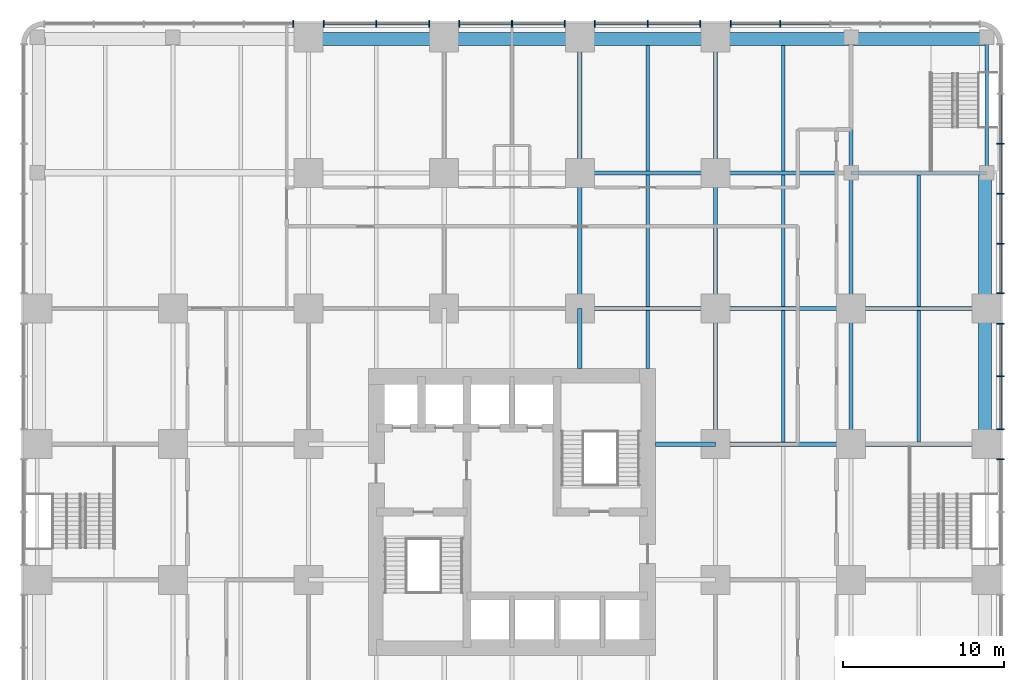
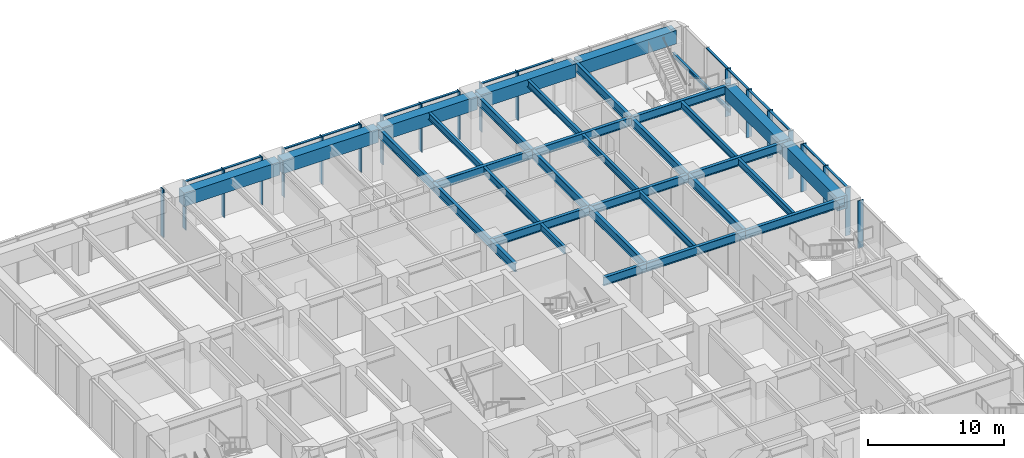
# One storey, part 6 of 17: 34 beams, 34 members, 2 elements without a shape of their own.
"""IFC4 building model written with IfcOpenShell, lengths in metres."""

from ifc_helpers import new_model, si_unit, direction, frame, origin, origin_2d, place, context, subcontext, project, spatial, rectangle, i_section, extrude, material, material_profile, profile_set, type_object, element, aggregate, save


model = new_model("IFC4")

# Units and contexts
model_context = context("Model", 3, precision=1e-05, world=origin(), true_north=direction((0.0, 1.0)))
body_context = subcontext(model_context, "Body", "Model", "MODEL_VIEW")
ifc_project = project(units=[si_unit("LENGTHUNIT", "METRE"), si_unit("AREAUNIT", "SQUARE_METRE"), si_unit("VOLUMEUNIT", "CUBIC_METRE"), si_unit("PLANEANGLEUNIT", "RADIAN"), si_unit("MASSUNIT", "GRAM", prefix="KILO")], contexts=[model_context])

# Site, building, storey
site_placement = place(None, origin())
site = spatial("IfcSite", under=ifc_project, at=site_placement, CompositionType="ELEMENT")
building_placement = place(site_placement, origin())
building = spatial("IfcBuilding", under=site, at=building_placement, Name="Torre Alcanfor", CompositionType="ELEMENT")
storey_placement = place(building_placement, frame((0.0, 0.0, 19.5)))
storey = spatial("IfcBuildingStorey", under=building, at=storey_placement, Name="L04", CompositionType="ELEMENT", Elevation=19.5)

# Curtain wall, members
ifc_material_1 = material(Name="Aluminium and glass", Category="aluminium")
curtain_wall_type = type_object("IfcCurtainWallType", Name="CW-B unitised classroom glazing with vertical FIN", PredefinedType="NOTDEFINED", material=ifc_material_1)
curtain_wall_1_placement = place(storey_placement, origin())
curtain_wall_1 = element("IfcCurtainWall", 1, at=curtain_wall_1_placement, inside=storey, type_object=curtain_wall_type, Name="Curtain wall CW-B L04 1", PredefinedType="NOTDEFINED")
ifc_material_2 = material(Name="Bronze anodised aluminium", Category="aluminium")
ifc_material_profile_1 = material_profile(ifc_material_2, rectangle(XDim=0.449951171875, YDim=0.06494140625, at=origin_2d()), Name="CW-B mullion 65x450")
ifc_profile_set_1 = profile_set([ifc_material_profile_1], Name="Bronze anodised aluminium")
member_type_1 = type_object("IfcMemberType", Name="CW-B mullion with vertical FIN 65x450", PredefinedType="MULLION", material=ifc_profile_set_1)
member_1_placement = place(storey_placement, frame((59.64990234375, 32.66259765625, 0.0), z_axis=(0.0, 0.0, 1.0), x_axis=(-1.0, 0.0, 0.0)))
member_1 = element("IfcMember", 2, at=member_1_placement, type_object=member_type_1, Name="CW-B mullion 3.3", PredefinedType="MULLION", context=body_context, shape_type="SweptSolid", body=[
    extrude(rectangle(XDim=0.449951171875, YDim=0.06494140625, at=origin_2d()), origin(), (0.0, 0.0, 1.0), 4.300048828125),
])
member_2_placement = place(storey_placement, frame((59.64990234375, 34.53759765625, 0.0), z_axis=(0.0, 0.0, 1.0), x_axis=(-1.0, 0.0, 0.0)))
member_2 = element("IfcMember", 3, at=member_2_placement, type_object=member_type_1, Name="CW-B mullion 4.1", PredefinedType="MULLION", context=body_context, shape_type="SweptSolid", body=[
    extrude(rectangle(XDim=0.449951171875, YDim=0.06494140625, at=origin_2d()), origin(), (0.0, 0.0, 1.0), 4.300048828125),
])
member_3_placement = place(storey_placement, frame((59.64990234375, 37.800048828125, 0.0), z_axis=(0.0, 0.0, 1.0), x_axis=(-1.0, 0.0, 0.0)))
member_3 = element("IfcMember", 4, at=member_3_placement, type_object=member_type_1, Name="CW-B mullion 4.2", PredefinedType="MULLION", context=body_context, shape_type="SweptSolid", body=[
    extrude(rectangle(XDim=0.449951171875, YDim=0.06494140625, at=origin_2d()), origin(), (0.0, 0.0, 1.0), 4.300048828125),
])
member_4_placement = place(storey_placement, frame((59.64990234375, 41.0625, 0.0), z_axis=(0.0, 0.0, 1.0), x_axis=(-1.0, 0.0, 0.0)))
member_4 = element("IfcMember", 5, at=member_4_placement, type_object=member_type_1, Name="CW-B mullion 4.3", PredefinedType="MULLION", context=body_context, shape_type="SweptSolid", body=[
    extrude(rectangle(XDim=0.449951171875, YDim=0.06494140625, at=origin_2d()), origin(), (0.0, 0.0, 1.0), 4.300048828125),
])
member_5_placement = place(storey_placement, frame((59.64990234375, 42.9375, 0.0), z_axis=(0.0, 0.0, 1.0), x_axis=(-1.0, 0.0, 0.0)))
member_5 = element("IfcMember", 6, at=member_5_placement, type_object=member_type_1, Name="CW-B mullion 5.1", PredefinedType="MULLION", context=body_context, shape_type="SweptSolid", body=[
    extrude(rectangle(XDim=0.449951171875, YDim=0.06494140625, at=origin_2d()), origin(), (0.0, 0.0, 1.0), 4.300048828125),
])
member_6_placement = place(storey_placement, frame((59.64990234375, 46.00390625, 0.0), z_axis=(0.0, 0.0, 1.0), x_axis=(-1.0, 0.0, 0.0)))
member_6 = element("IfcMember", 7, at=member_6_placement, type_object=member_type_1, Name="CW-B mullion 5.2", PredefinedType="MULLION", context=body_context, shape_type="SweptSolid", body=[
    extrude(rectangle(XDim=0.449951171875, YDim=0.06494140625, at=origin_2d()), origin(), (0.0, 0.0, 1.0), 4.300048828125),
])
member_7_placement = place(storey_placement, frame((59.64990234375, 49.10302734375, 0.0), z_axis=(0.0, 0.0, 1.0), x_axis=(-1.0, 0.0, 0.0)))
member_7 = element("IfcMember", 8, at=member_7_placement, type_object=member_type_1, Name="CW-B mullion 5.3", PredefinedType="MULLION", context=body_context, shape_type="SweptSolid", body=[
    extrude(rectangle(XDim=0.449951171875, YDim=0.06494140625, at=origin_2d()), origin(), (0.0, 0.0, 1.0), 4.300048828125),
])
member_8_placement = place(storey_placement, frame((59.64990234375, 52.201904296875, 0.0), z_axis=(0.0, 0.0, 1.0), x_axis=(-1.0, 0.0, 0.0)))
member_8 = element("IfcMember", 9, at=member_8_placement, type_object=member_type_1, Name="CW-B mullion 5.4", PredefinedType="MULLION", context=body_context, shape_type="SweptSolid", body=[
    extrude(rectangle(XDim=0.449951171875, YDim=0.06494140625, at=origin_2d()), origin(), (0.0, 0.0, 1.0), 4.300048828125),
])

curtain_wall_2_placement = place(storey_placement, origin())
curtain_wall_2 = element("IfcCurtainWall", 10, at=curtain_wall_2_placement, inside=storey, type_object=curtain_wall_type, Name="Curtain wall CW-B L04 2", PredefinedType="NOTDEFINED")
member_9_placement = place(storey_placement, frame((46.00390625, 59.64990234375, 0.0), z_axis=(0.0, 0.0, 1.0), x_axis=(0.0, -1.0, 0.0)))
member_9 = element("IfcMember", 11, at=member_9_placement, type_object=member_type_1, Name="CW-B mullion 1.5", PredefinedType="MULLION", context=body_context, shape_type="SweptSolid", body=[
    extrude(rectangle(XDim=0.449951171875, YDim=0.06494140625, at=origin_2d()), origin(), (0.0, 0.0, 1.0), 4.300048828125),
])
member_10_placement = place(storey_placement, frame((42.9375, 59.64990234375, 0.0), z_axis=(0.0, 0.0, 1.0), x_axis=(0.0, -1.0, 0.0)))
member_10 = element("IfcMember", 12, at=member_10_placement, type_object=member_type_1, Name="CW-B mullion 1.6", PredefinedType="MULLION", context=body_context, shape_type="SweptSolid", body=[
    extrude(rectangle(XDim=0.449951171875, YDim=0.06494140625, at=origin_2d()), origin(), (0.0, 0.0, 1.0), 4.300048828125),
])
member_11_placement = place(storey_placement, frame((41.0625, 59.64990234375, 0.0), z_axis=(0.0, 0.0, 1.0), x_axis=(0.0, -1.0, 0.0)))
member_11 = element("IfcMember", 13, at=member_11_placement, type_object=member_type_1, Name="CW-B mullion 2.1", PredefinedType="MULLION", context=body_context, shape_type="SweptSolid", body=[
    extrude(rectangle(XDim=0.449951171875, YDim=0.06494140625, at=origin_2d()), origin(), (0.0, 0.0, 1.0), 4.300048828125),
])
member_12_placement = place(storey_placement, frame((37.800048828125, 59.64990234375, 0.0), z_axis=(0.0, 0.0, 1.0), x_axis=(0.0, -1.0, 0.0)))
member_12 = element("IfcMember", 14, at=member_12_placement, type_object=member_type_1, Name="CW-B mullion 2.2", PredefinedType="MULLION", context=body_context, shape_type="SweptSolid", body=[
    extrude(rectangle(XDim=0.449951171875, YDim=0.06494140625, at=origin_2d()), origin(), (0.0, 0.0, 1.0), 4.300048828125),
])
member_13_placement = place(storey_placement, frame((34.53759765625, 59.64990234375, 0.0), z_axis=(0.0, 0.0, 1.0), x_axis=(0.0, -1.0, 0.0)))
member_13 = element("IfcMember", 15, at=member_13_placement, type_object=member_type_1, Name="CW-B mullion 2.3", PredefinedType="MULLION", context=body_context, shape_type="SweptSolid", body=[
    extrude(rectangle(XDim=0.449951171875, YDim=0.06494140625, at=origin_2d()), origin(), (0.0, 0.0, 1.0), 4.300048828125),
])
member_14_placement = place(storey_placement, frame((32.66259765625, 59.64990234375, 0.0), z_axis=(0.0, 0.0, 1.0), x_axis=(0.0, -1.0, 0.0)))
member_14 = element("IfcMember", 16, at=member_14_placement, type_object=member_type_1, Name="CW-B mullion 3.1", PredefinedType="MULLION", context=body_context, shape_type="SweptSolid", body=[
    extrude(rectangle(XDim=0.449951171875, YDim=0.06494140625, at=origin_2d()), origin(), (0.0, 0.0, 1.0), 4.300048828125),
])
member_15_placement = place(storey_placement, frame((29.39990234375, 59.64990234375, 0.0), z_axis=(0.0, 0.0, 1.0), x_axis=(0.0, -1.0, 0.0)))
member_15 = element("IfcMember", 17, at=member_15_placement, type_object=member_type_1, Name="CW-B mullion 3.2", PredefinedType="MULLION", context=body_context, shape_type="SweptSolid", body=[
    extrude(rectangle(XDim=0.449951171875, YDim=0.06494140625, at=origin_2d()), origin(), (0.0, 0.0, 1.0), 4.300048828125),
])
member_16_placement = place(storey_placement, frame((26.137451171875, 59.64990234375, 0.0), z_axis=(0.0, 0.0, 1.0), x_axis=(0.0, -1.0, 0.0)))
member_16 = element("IfcMember", 18, at=member_16_placement, type_object=member_type_1, Name="CW-B mullion 3.3", PredefinedType="MULLION", context=body_context, shape_type="SweptSolid", body=[
    extrude(rectangle(XDim=0.449951171875, YDim=0.06494140625, at=origin_2d()), origin(), (0.0, 0.0, 1.0), 4.300048828125),
])
member_17_placement = place(storey_placement, frame((24.262451171875, 59.64990234375, 0.0), z_axis=(0.0, 0.0, 1.0), x_axis=(0.0, -1.0, 0.0)))
member_17 = element("IfcMember", 19, at=member_17_placement, type_object=member_type_1, Name="CW-B mullion 4.1", PredefinedType="MULLION", context=body_context, shape_type="SweptSolid", body=[
    extrude(rectangle(XDim=0.449951171875, YDim=0.06494140625, at=origin_2d()), origin(), (0.0, 0.0, 1.0), 4.300048828125),
])
member_18_placement = place(storey_placement, frame((21.0, 59.64990234375, 0.0), z_axis=(0.0, 0.0, 1.0), x_axis=(0.0, -1.0, 0.0)))
member_18 = element("IfcMember", 20, at=member_18_placement, type_object=member_type_1, Name="CW-B mullion 4.2", PredefinedType="MULLION", context=body_context, shape_type="SweptSolid", body=[
    extrude(rectangle(XDim=0.449951171875, YDim=0.06494140625, at=origin_2d()), origin(), (0.0, 0.0, 1.0), 4.300048828125),
])
member_19_placement = place(storey_placement, frame((17.737548828125, 59.64990234375, 0.0), z_axis=(0.0, 0.0, 1.0), x_axis=(0.0, -1.0, 0.0)))
member_19 = element("IfcMember", 21, at=member_19_placement, type_object=member_type_1, Name="CW-B mullion 4.3", PredefinedType="MULLION", context=body_context, shape_type="SweptSolid", body=[
    extrude(rectangle(XDim=0.449951171875, YDim=0.06494140625, at=origin_2d()), origin(), (0.0, 0.0, 1.0), 4.300048828125),
])
member_20_placement = place(storey_placement, frame((15.862548828125, 59.64990234375, 0.0), z_axis=(0.0, 0.0, 1.0), x_axis=(0.0, -1.0, 0.0)))
member_20 = element("IfcMember", 22, at=member_20_placement, type_object=member_type_1, Name="CW-B mullion 5.1", PredefinedType="MULLION", context=body_context, shape_type="SweptSolid", body=[
    extrude(rectangle(XDim=0.449951171875, YDim=0.06494140625, at=origin_2d()), origin(), (0.0, 0.0, 1.0), 4.300048828125),
])

# Member
ifc_material_3 = material(Name="Extruded aluminium", Category="aluminium")
ifc_material_profile_2 = material_profile(ifc_material_3, rectangle(XDim=0.199951171875, YDim=0.06494140625, at=origin_2d()), Name="CW-B transom 200x65")
ifc_profile_set_2 = profile_set([ifc_material_profile_2], Name="Extruded aluminium")
member_type_2 = type_object("IfcMemberType", Name="CW-B transom 65x200", PredefinedType="USERDEFINED", material=ifc_profile_set_2)
member_21_placement = place(storey_placement, frame((59.64990234375, 34.570068359375, 4.267578125), z_axis=(0.0, 1.0, 0.0), x_axis=(-1.0, 0.0, 0.0)))
member_21 = element("IfcMember", 23, at=member_21_placement, type_object=member_type_2, Name="CW-B transom 4.1.2", ObjectType="TRANSOM", PredefinedType="USERDEFINED", context=body_context, shape_type="SweptSolid", body=[
    extrude(rectangle(XDim=0.199951171875, YDim=0.06494140625, at=origin_2d()), origin(), (0.0, 0.0, 1.0), 3.197509765625),
])

member_22_placement = place(storey_placement, frame((59.64990234375, 37.83251953125, 4.267578125), z_axis=(0.0, 1.0, 0.0), x_axis=(-1.0, 0.0, 0.0)))
member_22 = element("IfcMember", 24, at=member_22_placement, type_object=member_type_2, Name="CW-B transom 4.2.2", ObjectType="TRANSOM", PredefinedType="USERDEFINED", context=body_context, shape_type="SweptSolid", body=[
    extrude(rectangle(XDim=0.199951171875, YDim=0.06494140625, at=origin_2d()), origin(), (0.0, 0.0, 1.0), 3.197509765625),
])

member_23_placement = place(storey_placement, frame((59.64990234375, 42.969970703125, 4.267578125), z_axis=(0.0, 1.0, 0.0), x_axis=(-1.0, 0.0, 0.0)))
member_23 = element("IfcMember", 25, at=member_23_placement, type_object=member_type_2, Name="CW-B transom 5.1.2", ObjectType="TRANSOM", PredefinedType="USERDEFINED", context=body_context, shape_type="SweptSolid", body=[
    extrude(rectangle(XDim=0.199951171875, YDim=0.06494140625, at=origin_2d()), origin(), (0.0, 0.0, 1.0), 3.00146484375),
])

member_24_placement = place(storey_placement, frame((59.64990234375, 46.03662109375, 4.267578125), z_axis=(0.0, 1.0, 0.0), x_axis=(-1.0, 0.0, 0.0)))
member_24 = element("IfcMember", 26, at=member_24_placement, type_object=member_type_2, Name="CW-B transom 5.2.2", ObjectType="TRANSOM", PredefinedType="USERDEFINED", context=body_context, shape_type="SweptSolid", body=[
    extrude(rectangle(XDim=0.199951171875, YDim=0.06494140625, at=origin_2d()), origin(), (0.0, 0.0, 1.0), 3.033935546875),
])

member_25_placement = place(storey_placement, frame((59.64990234375, 49.135498046875, 4.267578125), z_axis=(0.0, 1.0, 0.0), x_axis=(-1.0, 0.0, 0.0)))
member_25 = element("IfcMember", 27, at=member_25_placement, type_object=member_type_2, Name="CW-B transom 5.3.2", ObjectType="TRANSOM", PredefinedType="USERDEFINED", context=body_context, shape_type="SweptSolid", body=[
    extrude(rectangle(XDim=0.199951171875, YDim=0.06494140625, at=origin_2d()), origin(), (0.0, 0.0, 1.0), 3.033935546875),
])

member_26_placement = place(storey_placement, frame((59.64990234375, 52.234619140625, 4.267578125), z_axis=(0.0, 1.0, 0.0), x_axis=(-1.0, 0.0, 0.0)))
member_26 = element("IfcMember", 28, at=member_26_placement, type_object=member_type_2, Name="CW-B transom 5.4.2", ObjectType="TRANSOM", PredefinedType="USERDEFINED", context=body_context, shape_type="SweptSolid", body=[
    extrude(rectangle(XDim=0.199951171875, YDim=0.06494140625, at=origin_2d()), origin(), (0.0, 0.0, 1.0), 3.033935546875),
])

aggregate(curtain_wall_1, [member_1, member_2, member_3, member_4, member_21, member_22, member_5, member_6, member_7, member_8, member_23, member_24, member_25, member_26])

member_27_placement = place(storey_placement, frame((49.070556640625, 59.64990234375, 4.267578125), z_axis=(-1.0, 0.0, 0.0), x_axis=(0.0, -1.0, 0.0)))
member_27 = element("IfcMember", 29, at=member_27_placement, type_object=member_type_2, Name="CW-B transom 1.4.2", ObjectType="TRANSOM", PredefinedType="USERDEFINED", context=body_context, shape_type="SweptSolid", body=[
    extrude(rectangle(XDim=0.199951171875, YDim=0.06494140625, at=origin_2d()), origin(), (0.0, 0.0, 1.0), 3.033935546875),
])

member_28_placement = place(storey_placement, frame((45.971435546875, 59.64990234375, 4.267578125), z_axis=(-1.0, 0.0, 0.0), x_axis=(0.0, -1.0, 0.0)))
member_28 = element("IfcMember", 30, at=member_28_placement, type_object=member_type_2, Name="CW-B transom 1.5.2", ObjectType="TRANSOM", PredefinedType="USERDEFINED", context=body_context, shape_type="SweptSolid", body=[
    extrude(rectangle(XDim=0.199951171875, YDim=0.06494140625, at=origin_2d()), origin(), (0.0, 0.0, 1.0), 3.00146484375),
])

member_29_placement = place(storey_placement, frame((41.030029296875, 59.64990234375, 4.267578125), z_axis=(-1.0, 0.0, 0.0), x_axis=(0.0, -1.0, 0.0)))
member_29 = element("IfcMember", 31, at=member_29_placement, type_object=member_type_2, Name="CW-B transom 2.1.2", ObjectType="TRANSOM", PredefinedType="USERDEFINED", context=body_context, shape_type="SweptSolid", body=[
    extrude(rectangle(XDim=0.199951171875, YDim=0.06494140625, at=origin_2d()), origin(), (0.0, 0.0, 1.0), 3.197509765625),
])

member_30_placement = place(storey_placement, frame((37.767578125, 59.64990234375, 4.267578125), z_axis=(-1.0, 0.0, 0.0), x_axis=(0.0, -1.0, 0.0)))
member_30 = element("IfcMember", 32, at=member_30_placement, type_object=member_type_2, Name="CW-B transom 2.2.2", ObjectType="TRANSOM", PredefinedType="USERDEFINED", context=body_context, shape_type="SweptSolid", body=[
    extrude(rectangle(XDim=0.199951171875, YDim=0.06494140625, at=origin_2d()), origin(), (0.0, 0.0, 1.0), 3.197509765625),
])

member_31_placement = place(storey_placement, frame((32.6298828125, 59.64990234375, 4.267578125), z_axis=(-1.0, 0.0, 0.0), x_axis=(0.0, -1.0, 0.0)))
member_31 = element("IfcMember", 33, at=member_31_placement, type_object=member_type_2, Name="CW-B transom 3.1.2", ObjectType="TRANSOM", PredefinedType="USERDEFINED", context=body_context, shape_type="SweptSolid", body=[
    extrude(rectangle(XDim=0.199951171875, YDim=0.06494140625, at=origin_2d()), origin(), (0.0, 0.0, 1.0), 3.197265625),
])

member_32_placement = place(storey_placement, frame((29.367431640625, 59.64990234375, 4.267578125), z_axis=(-1.0, 0.0, 0.0), x_axis=(0.0, -1.0, 0.0)))
member_32 = element("IfcMember", 34, at=member_32_placement, type_object=member_type_2, Name="CW-B transom 3.2.2", ObjectType="TRANSOM", PredefinedType="USERDEFINED", context=body_context, shape_type="SweptSolid", body=[
    extrude(rectangle(XDim=0.199951171875, YDim=0.06494140625, at=origin_2d()), origin(), (0.0, 0.0, 1.0), 3.197509765625),
])

member_33_placement = place(storey_placement, frame((24.22998046875, 59.64990234375, 4.267578125), z_axis=(-1.0, 0.0, 0.0), x_axis=(0.0, -1.0, 0.0)))
member_33 = element("IfcMember", 35, at=member_33_placement, type_object=member_type_2, Name="CW-B transom 4.1.2", ObjectType="TRANSOM", PredefinedType="USERDEFINED", context=body_context, shape_type="SweptSolid", body=[
    extrude(rectangle(XDim=0.199951171875, YDim=0.06494140625, at=origin_2d()), origin(), (0.0, 0.0, 1.0), 3.197509765625),
])

member_34_placement = place(storey_placement, frame((20.967529296875, 59.64990234375, 4.267578125), z_axis=(-1.0, 0.0, 0.0), x_axis=(0.0, -1.0, 0.0)))
member_34 = element("IfcMember", 36, at=member_34_placement, type_object=member_type_2, Name="CW-B transom 4.2.2", ObjectType="TRANSOM", PredefinedType="USERDEFINED", context=body_context, shape_type="SweptSolid", body=[
    extrude(rectangle(XDim=0.199951171875, YDim=0.06494140625, at=origin_2d()), origin(), (0.0, 0.0, 1.0), 3.197509765625),
])

aggregate(curtain_wall_2, [member_9, member_10, member_27, member_28, member_11, member_12, member_13, member_29, member_30, member_14, member_15, member_16, member_31, member_32, member_17, member_18, member_19, member_33, member_34, member_20])

# Beams
ifc_material_4 = material(Name="Steel ASTM A992 Grade 50", Category="steel")
ifc_material_profile_3 = material_profile(ifc_material_4, i_section(OverallWidth=0.2666015625, OverallDepth=0.7568359375, WebThickness=0.013916015625, FlangeThickness=0.019287109375, at=origin_2d()), Name="W30x108")
ifc_profile_set_3 = profile_set([ifc_material_profile_3], Name="Steel ASTM A992 Grade 50")
beam_type_1 = type_object("IfcBeamType", Name="Girder W30x108", PredefinedType="BEAM", material=ifc_profile_set_3)
beam_1_placement = place(storey_placement, frame((42.0, 33.60009765625, 3.921630859375), z_axis=(1.0, 0.0, 0.0), x_axis=(0.0, 1.0, 0.0)))
element("IfcBeam", 37, at=beam_1_placement, inside=storey, type_object=beam_type_1, Name="Beam 6G-7G under L05", PredefinedType="BEAM", context=body_context, shape_type="SweptSolid", body=[
    extrude(i_section(OverallWidth=0.2666015625, OverallDepth=0.7568359375, WebThickness=0.013916015625, FlangeThickness=0.019287109375, at=origin_2d()), origin(), (0.0, 0.0, 1.0), 8.39990234375),
])
beam_2_placement = place(storey_placement, frame((50.39990234375, 33.60009765625, 3.921630859375), z_axis=(1.0, 0.0, 0.0), x_axis=(0.0, 1.0, 0.0)))
element("IfcBeam", 38, at=beam_2_placement, inside=storey, type_object=beam_type_1, Name="Beam 7G-8G under L05", PredefinedType="BEAM", context=body_context, shape_type="SweptSolid", body=[
    extrude(i_section(OverallWidth=0.2666015625, OverallDepth=0.7568359375, WebThickness=0.013916015625, FlangeThickness=0.019287109375, at=origin_2d()), origin(), (0.0, 0.0, 1.0), 8.400146484375),
])
for number, where, z_axis, x_axis, name in (
    (39, (33.60009765625, 42.0, 3.921630859375), (1.0, 0.0, 0.0), (0.0, 1.0, 0.0), "Beam 5H-6H under L05"),
    (40, (42.0, 42.0, 3.921630859375), (1.0, 0.0, 0.0), (0.0, 1.0, 0.0), "Beam 6H-7H under L05"),
):
    element("IfcBeam", number, at=place(storey_placement, frame(where, z_axis=z_axis, x_axis=x_axis)), inside=storey, type_object=beam_type_1, Name=name, PredefinedType="BEAM", context=body_context, shape_type="SweptSolid", body=[
        extrude(i_section(OverallWidth=0.2666015625, OverallDepth=0.7568359375, WebThickness=0.013916015625, FlangeThickness=0.019287109375, at=origin_2d()), origin(), (0.0, 0.0, 1.0), 8.39990234375),
    ])
beam_3_placement = place(storey_placement, frame((50.39990234375, 42.0, 3.921630859375), z_axis=(1.0, 0.0, 0.0), x_axis=(0.0, 1.0, 0.0)))
element("IfcBeam", 41, at=beam_3_placement, inside=storey, type_object=beam_type_1, Name="Beam 7H-8H under L05", PredefinedType="BEAM", context=body_context, shape_type="SweptSolid", body=[
    extrude(i_section(OverallWidth=0.2666015625, OverallDepth=0.7568359375, WebThickness=0.013916015625, FlangeThickness=0.019287109375, at=origin_2d()), origin(), (0.0, 0.0, 1.0), 8.400146484375),
])
for number, where, z_axis, x_axis, name in (
    (42, (33.60009765625, 50.39990234375, 3.921630859375), (1.0, 0.0, 0.0), (0.0, 1.0, 0.0), "Beam 5J-6J under L05"),
    (43, (42.0, 50.39990234375, 3.921630859375), (1.0, 0.0, 0.0), (0.0, 1.0, 0.0), "Beam 6J-7J under L05"),
):
    element("IfcBeam", number, at=place(storey_placement, frame(where, z_axis=z_axis, x_axis=x_axis)), inside=storey, type_object=beam_type_1, Name=name, PredefinedType="BEAM", context=body_context, shape_type="SweptSolid", body=[
        extrude(i_section(OverallWidth=0.2666015625, OverallDepth=0.7568359375, WebThickness=0.013916015625, FlangeThickness=0.019287109375, at=origin_2d()), origin(), (0.0, 0.0, 1.0), 8.39990234375),
    ])
beam_4_placement = place(storey_placement, frame((50.39990234375, 50.39990234375, 3.921630859375), z_axis=(1.0, 0.0, 0.0), x_axis=(0.0, 1.0, 0.0)))
element("IfcBeam", 44, at=beam_4_placement, inside=storey, type_object=beam_type_1, Name="Beam 7J-8J under L05", PredefinedType="BEAM", context=body_context, shape_type="SweptSolid", body=[
    extrude(i_section(OverallWidth=0.2666015625, OverallDepth=0.7568359375, WebThickness=0.013916015625, FlangeThickness=0.019287109375, at=origin_2d()), origin(), (0.0, 0.0, 1.0), 8.400146484375),
])
beam_5_placement = place(storey_placement, frame((33.60009765625, 42.0, 3.921630859375), z_axis=(0.0, 1.0, 0.0), x_axis=(-1.0, 0.0, 0.0)))
element("IfcBeam", 45, at=beam_5_placement, inside=storey, type_object=beam_type_1, Name="Beam 5H-5J under L05", PredefinedType="BEAM", context=body_context, shape_type="SweptSolid", body=[
    extrude(i_section(OverallWidth=0.2666015625, OverallDepth=0.7568359375, WebThickness=0.013916015625, FlangeThickness=0.019287109375, at=origin_2d()), origin(), (0.0, 0.0, 1.0), 8.39990234375),
])
beam_6_placement = place(storey_placement, frame((33.60009765625, 50.39990234375, 3.921630859375), z_axis=(0.0, 1.0, 0.0), x_axis=(-1.0, 0.0, 0.0)))
element("IfcBeam", 46, at=beam_6_placement, inside=storey, type_object=beam_type_1, Name="Beam 5J-5K under L05", PredefinedType="BEAM", context=body_context, shape_type="SweptSolid", body=[
    extrude(i_section(OverallWidth=0.2666015625, OverallDepth=0.7568359375, WebThickness=0.013916015625, FlangeThickness=0.019287109375, at=origin_2d()), origin(), (0.0, 0.0, 1.0), 8.400146484375),
])
for number, where, z_axis, x_axis, name in (
    (47, (42.0, 33.60009765625, 3.921630859375), (0.0, 1.0, 0.0), (-1.0, 0.0, 0.0), "Beam 6G-6H under L05"),
    (48, (42.0, 42.0, 3.921630859375), (0.0, 1.0, 0.0), (-1.0, 0.0, 0.0), "Beam 6H-6J under L05"),
):
    element("IfcBeam", number, at=place(storey_placement, frame(where, z_axis=z_axis, x_axis=x_axis)), inside=storey, type_object=beam_type_1, Name=name, PredefinedType="BEAM", context=body_context, shape_type="SweptSolid", body=[
        extrude(i_section(OverallWidth=0.2666015625, OverallDepth=0.7568359375, WebThickness=0.013916015625, FlangeThickness=0.019287109375, at=origin_2d()), origin(), (0.0, 0.0, 1.0), 8.39990234375),
    ])
beam_7_placement = place(storey_placement, frame((42.0, 50.39990234375, 3.921630859375), z_axis=(0.0, 1.0, 0.0), x_axis=(-1.0, 0.0, 0.0)))
element("IfcBeam", 49, at=beam_7_placement, inside=storey, type_object=beam_type_1, Name="Beam 6J-6K under L05", PredefinedType="BEAM", context=body_context, shape_type="SweptSolid", body=[
    extrude(i_section(OverallWidth=0.2666015625, OverallDepth=0.7568359375, WebThickness=0.013916015625, FlangeThickness=0.019287109375, at=origin_2d()), origin(), (0.0, 0.0, 1.0), 8.400146484375),
])
for number, where, z_axis, x_axis, name in (
    (50, (50.39990234375, 33.60009765625, 3.921630859375), (0.0, 1.0, 0.0), (-1.0, 0.0, 0.0), "Beam 7G-7H under L05"),
    (51, (50.39990234375, 42.0, 3.921630859375), (0.0, 1.0, 0.0), (-1.0, 0.0, 0.0), "Beam 7H-7J under L05"),
):
    element("IfcBeam", number, at=place(storey_placement, frame(where, z_axis=z_axis, x_axis=x_axis)), inside=storey, type_object=beam_type_1, Name=name, PredefinedType="BEAM", context=body_context, shape_type="SweptSolid", body=[
        extrude(i_section(OverallWidth=0.2666015625, OverallDepth=0.7568359375, WebThickness=0.013916015625, FlangeThickness=0.019287109375, at=origin_2d()), origin(), (0.0, 0.0, 1.0), 8.39990234375),
    ])
beam_8_placement = place(storey_placement, frame((50.39990234375, 50.39990234375, 3.921630859375), z_axis=(0.0, 1.0, 0.0), x_axis=(-1.0, 0.0, 0.0)))
element("IfcBeam", 52, at=beam_8_placement, inside=storey, type_object=beam_type_1, Name="Beam 7J-7K under L05", PredefinedType="BEAM", context=body_context, shape_type="SweptSolid", body=[
    extrude(i_section(OverallWidth=0.2666015625, OverallDepth=0.7568359375, WebThickness=0.013916015625, FlangeThickness=0.019287109375, at=origin_2d()), origin(), (0.0, 0.0, 1.0), 8.400146484375),
])
ifc_material_5 = material(Name="Steel ASTM A992 Grade 50", Category="steel")
ifc_material_profile_4 = material_profile(ifc_material_5, i_section(OverallWidth=0.2666015625, OverallDepth=0.7568359375, WebThickness=0.013916015625, FlangeThickness=0.019287109375, at=origin_2d()), Name="W30x108")
ifc_profile_set_4 = profile_set([ifc_material_profile_4], Name="Steel ASTM A992 Grade 50")
beam_type_2 = type_object("IfcBeamType", Name="Girder, part bay W30x108", PredefinedType="BEAM", material=ifc_profile_set_4)
for number, where, z_axis, x_axis, name in (
    (53, (33.60009765625, 42.0, 3.921630859375), (0.0, -1.0, 0.0), (1.0, 0.0, 0.0), "Beam 5H-538_3 under L05"),
    (54, (42.0, 33.60009765625, 3.921630859375), (-1.0, 0.0, 0.0), (0.0, -1.0, 0.0), "Beam 6G-38_3G under L05"),
):
    element("IfcBeam", number, at=place(storey_placement, frame(where, z_axis=z_axis, x_axis=x_axis)), inside=storey, type_object=beam_type_2, Name=name, PredefinedType="BEAM", context=body_context, shape_type="SweptSolid", body=[
        extrude(i_section(OverallWidth=0.2666015625, OverallDepth=0.7568359375, WebThickness=0.013916015625, FlangeThickness=0.019287109375, at=origin_2d()), origin(), (0.0, 0.0, 1.0), 3.699951171875),
    ])
ifc_material_6 = material(Name="Concrete f'c 70 MPa", Category="concrete")
ifc_material_profile_5 = material_profile(ifc_material_6, rectangle(XDim=0.800048828125, YDim=1.199951171875, at=origin_2d()), Name="800x1200")
ifc_profile_set_5 = profile_set([ifc_material_profile_5], Name="Concrete f'c 70 MPa")
beam_type_3 = type_object("IfcBeamType", Name="RC perimeter beam 800x1200", PredefinedType="BEAM", material=ifc_profile_set_5)
beam_9_placement = place(storey_placement, frame((16.93310546875, 58.699951171875, 3.699951171875), z_axis=(1.0, 0.0, 0.0), x_axis=(0.0, 1.0, 0.0)))
element("IfcBeam", 55, at=beam_9_placement, inside=storey, type_object=beam_type_3, Name="Beam 3K-4K under L05", PredefinedType="BEAM", context=body_context, shape_type="SweptSolid", body=[
    extrude(rectangle(XDim=0.800048828125, YDim=1.199951171875, at=origin_2d()), origin(), (0.0, 0.0, 1.0), 8.1337890625),
])
for number, where, z_axis, x_axis, name in (
    (56, (25.3330078125, 58.699951171875, 3.699951171875), (1.0, 0.0, 0.0), (0.0, 1.0, 0.0), "Beam 4K-5K under L05"),
    (57, (33.73291015625, 58.699951171875, 3.699951171875), (1.0, 0.0, 0.0), (0.0, 1.0, 0.0), "Beam 5K-6K under L05"),
    (58, (42.133056640625, 58.699951171875, 3.699951171875), (1.0, 0.0, 0.0), (0.0, 1.0, 0.0), "Beam 6K-7K under L05"),
):
    element("IfcBeam", number, at=place(storey_placement, frame(where, z_axis=z_axis, x_axis=x_axis)), inside=storey, type_object=beam_type_3, Name=name, PredefinedType="BEAM", context=body_context, shape_type="SweptSolid", body=[
        extrude(rectangle(XDim=0.800048828125, YDim=1.199951171875, at=origin_2d()), origin(), (0.0, 0.0, 1.0), 8.134033203125),
    ])
beam_10_placement = place(storey_placement, frame((50.532958984375, 58.699951171875, 3.699951171875), z_axis=(1.0, 0.0, 0.0), x_axis=(0.0, 1.0, 0.0)))
element("IfcBeam", 59, at=beam_10_placement, inside=storey, type_object=beam_type_3, Name="Beam 7K-8K under L05", PredefinedType="BEAM", context=body_context, shape_type="SweptSolid", body=[
    extrude(rectangle(XDim=0.800048828125, YDim=1.199951171875, at=origin_2d()), origin(), (0.0, 0.0, 1.0), 8.26708984375),
])
for number, where, z_axis, x_axis, name in (
    (60, (58.699951171875, 33.73291015625, 3.699951171875), (0.0, 1.0, 0.0), (-1.0, 0.0, 0.0), "Beam 8G-8H under L05"),
    (61, (58.699951171875, 42.133056640625, 3.699951171875), (0.0, 1.0, 0.0), (-1.0, 0.0, 0.0), "Beam 8H-8J under L05"),
):
    element("IfcBeam", number, at=place(storey_placement, frame(where, z_axis=z_axis, x_axis=x_axis)), inside=storey, type_object=beam_type_3, Name=name, PredefinedType="BEAM", context=body_context, shape_type="SweptSolid", body=[
        extrude(rectangle(XDim=0.800048828125, YDim=1.199951171875, at=origin_2d()), origin(), (0.0, 0.0, 1.0), 8.134033203125),
    ])
ifc_material_7 = material(Name="Steel ASTM A992 Grade 50", Category="steel")
ifc_material_profile_6 = material_profile(ifc_material_7, i_section(OverallWidth=0.203369140625, OverallDepth=0.30224609375, WebThickness=0.007568359375, FlangeThickness=0.01318359375, at=origin_2d()), Name="W12x40")
ifc_profile_set_6 = profile_set([ifc_material_profile_6], Name="Steel ASTM A992 Grade 50")
beam_type_4 = type_object("IfcBeamType", Name="School stair landing beam W12x40", PredefinedType="BEAM", material=ifc_profile_set_6)
beam_11_placement = place(storey_placement, frame((58.800048828125, 50.39990234375, 1.89892578125), z_axis=(0.0, 1.0, 0.0), x_axis=(-1.0, 0.0, 0.0)))
element("IfcBeam", 62, at=beam_11_placement, inside=storey, type_object=beam_type_4, Name="Landing beam SS4 L04", PredefinedType="BEAM", context=body_context, shape_type="SweptSolid", body=[
    extrude(i_section(OverallWidth=0.203369140625, OverallDepth=0.30224609375, WebThickness=0.007568359375, FlangeThickness=0.01318359375, at=origin_2d()), origin(), (0.0, 0.0, 1.0), 8.400146484375),
])
ifc_material_8 = material(Name="Steel ASTM A992 Grade 50", Category="steel")
ifc_material_profile_7 = material_profile(ifc_material_8, i_section(OverallWidth=0.22900390625, OverallDepth=0.612060546875, WebThickness=0.011962890625, FlangeThickness=0.01953125, at=origin_2d()), Name="W24x84")
ifc_profile_set_7 = profile_set([ifc_material_profile_7], Name="Steel ASTM A992 Grade 50")
beam_type_5 = type_object("IfcBeamType", Name="Secondary beam W24x84", PredefinedType="BEAM", material=ifc_profile_set_7)
beam_12_placement = place(storey_placement, frame((37.800048828125, 42.133056640625, 3.993896484375), z_axis=(0.0, 1.0, 0.0), x_axis=(-1.0, 0.0, 0.0)))
element("IfcBeam", 63, at=beam_12_placement, inside=storey, type_object=beam_type_5, Name="Beam 37_8H-37_8J under L05", PredefinedType="BEAM", context=body_context, shape_type="SweptSolid", body=[
    extrude(i_section(OverallWidth=0.22900390625, OverallDepth=0.612060546875, WebThickness=0.011962890625, FlangeThickness=0.01953125, at=origin_2d()), origin(), (0.0, 0.0, 1.0), 8.134033203125),
])
beam_13_placement = place(storey_placement, frame((37.800048828125, 50.532958984375, 3.993896484375), z_axis=(0.0, 1.0, 0.0), x_axis=(-1.0, 0.0, 0.0)))
element("IfcBeam", 64, at=beam_13_placement, inside=storey, type_object=beam_type_5, Name="Beam 37_8J-37_8K under L05", PredefinedType="BEAM", context=body_context, shape_type="SweptSolid", body=[
    extrude(i_section(OverallWidth=0.22900390625, OverallDepth=0.612060546875, WebThickness=0.011962890625, FlangeThickness=0.01953125, at=origin_2d()), origin(), (0.0, 0.0, 1.0), 7.76708984375),
])
for number, where, z_axis, x_axis, name in (
    (65, (46.199951171875, 33.73291015625, 3.993896484375), (0.0, 1.0, 0.0), (-1.0, 0.0, 0.0), "Beam 46_2G-46_2H under L05"),
    (66, (46.199951171875, 42.133056640625, 3.993896484375), (0.0, 1.0, 0.0), (-1.0, 0.0, 0.0), "Beam 46_2H-46_2J under L05"),
):
    element("IfcBeam", number, at=place(storey_placement, frame(where, z_axis=z_axis, x_axis=x_axis)), inside=storey, type_object=beam_type_5, Name=name, PredefinedType="BEAM", context=body_context, shape_type="SweptSolid", body=[
        extrude(i_section(OverallWidth=0.22900390625, OverallDepth=0.612060546875, WebThickness=0.011962890625, FlangeThickness=0.01953125, at=origin_2d()), origin(), (0.0, 0.0, 1.0), 8.134033203125),
    ])
beam_14_placement = place(storey_placement, frame((46.199951171875, 50.532958984375, 3.993896484375), z_axis=(0.0, 1.0, 0.0), x_axis=(-1.0, 0.0, 0.0)))
element("IfcBeam", 67, at=beam_14_placement, inside=storey, type_object=beam_type_5, Name="Beam 46_2J-46_2K under L05", PredefinedType="BEAM", context=body_context, shape_type="SweptSolid", body=[
    extrude(i_section(OverallWidth=0.22900390625, OverallDepth=0.612060546875, WebThickness=0.011962890625, FlangeThickness=0.01953125, at=origin_2d()), origin(), (0.0, 0.0, 1.0), 7.76708984375),
])
for number, where, z_axis, x_axis, name in (
    (68, (54.60009765625, 33.73291015625, 3.993896484375), (0.0, 1.0, 0.0), (-1.0, 0.0, 0.0), "Beam 54_6G-54_6H under L05"),
    (69, (54.60009765625, 42.133056640625, 3.993896484375), (0.0, 1.0, 0.0), (-1.0, 0.0, 0.0), "Beam 54_6H-54_6J under L05"),
):
    element("IfcBeam", number, at=place(storey_placement, frame(where, z_axis=z_axis, x_axis=x_axis)), inside=storey, type_object=beam_type_5, Name=name, PredefinedType="BEAM", context=body_context, shape_type="SweptSolid", body=[
        extrude(i_section(OverallWidth=0.22900390625, OverallDepth=0.612060546875, WebThickness=0.011962890625, FlangeThickness=0.01953125, at=origin_2d()), origin(), (0.0, 0.0, 1.0), 8.134033203125),
    ])
ifc_material_9 = material(Name="Steel ASTM A992 Grade 50", Category="steel")
ifc_material_profile_8 = material_profile(ifc_material_9, i_section(OverallWidth=0.22900390625, OverallDepth=0.612060546875, WebThickness=0.011962890625, FlangeThickness=0.01953125, at=origin_2d()), Name="W24x84")
ifc_profile_set_8 = profile_set([ifc_material_profile_8], Name="Steel ASTM A992 Grade 50")
beam_type_6 = type_object("IfcBeamType", Name="Secondary beam, part bay W24x84", PredefinedType="BEAM", material=ifc_profile_set_8)
beam_15_placement = place(storey_placement, frame((37.800048828125, 38.300048828125, 3.993896484375), z_axis=(0.0, 1.0, 0.0), x_axis=(-1.0, 0.0, 0.0)))
element("IfcBeam", 70, at=beam_15_placement, inside=storey, type_object=beam_type_6, Name="Beam 37_838_3-37_8H under L05", PredefinedType="BEAM", context=body_context, shape_type="SweptSolid", body=[
    extrude(i_section(OverallWidth=0.22900390625, OverallDepth=0.612060546875, WebThickness=0.011962890625, FlangeThickness=0.01953125, at=origin_2d()), origin(), (0.0, 0.0, 1.0), 3.56689453125),
])

save(model, "model.ifc")
